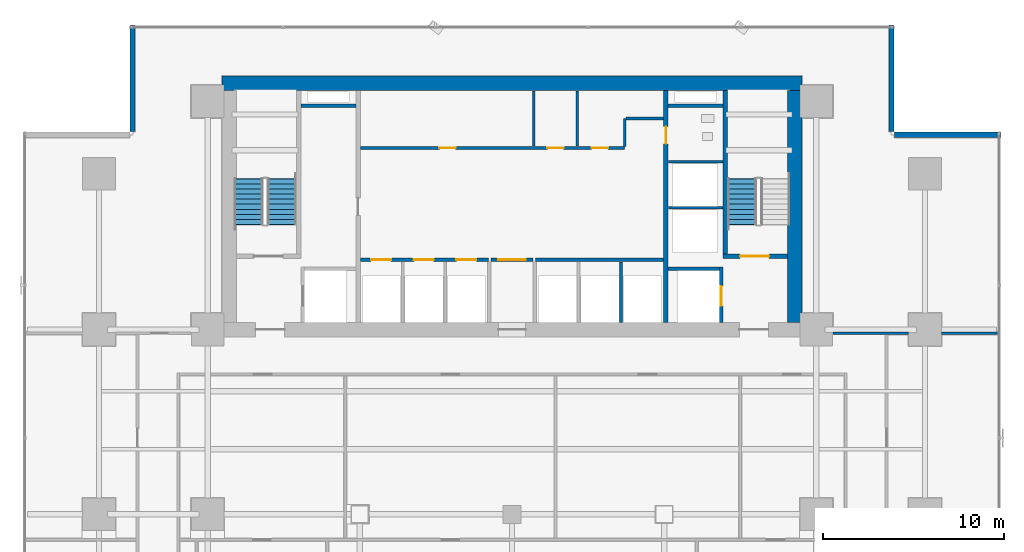
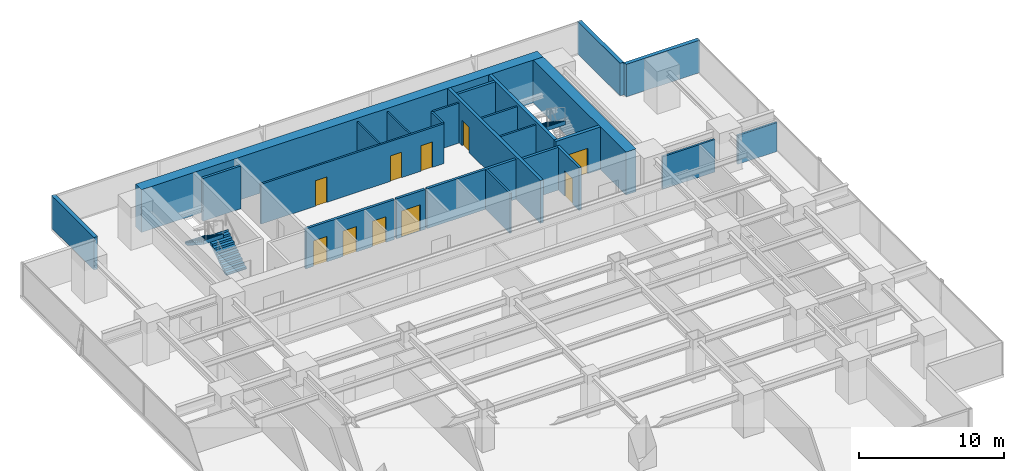
# One storey, part 25 of 32: 25 walls, 10 doors, 3 stair flights, 10 openings, 2 elements without a shape of their own.
"""IFC4 building model written with IfcOpenShell, lengths in metres."""

from ifc_helpers import new_model, si_unit, direction, frame, frame_2d, origin, place, context, subcontext, project, spatial, polyline, rectangle, outline, extrude, source, transform, mapped, material, layer, layer_set, type_object, element, fill, aggregate, save


model = new_model("IFC4")

# Units and contexts
model_context = context("Model", 3, precision=1e-05, world=origin(), true_north=direction((0.0, 1.0)))
body_context = subcontext(model_context, "Body", "Model", "MODEL_VIEW")
ifc_project = project(units=[si_unit("LENGTHUNIT", "METRE"), si_unit("AREAUNIT", "SQUARE_METRE"), si_unit("VOLUMEUNIT", "CUBIC_METRE"), si_unit("PLANEANGLEUNIT", "RADIAN"), si_unit("MASSUNIT", "GRAM", prefix="KILO")], contexts=[model_context])

# Site, building, storey
site_placement = place(None, origin())
site = spatial("IfcSite", under=ifc_project, at=site_placement, CompositionType="ELEMENT")
building_placement = place(site_placement, origin())
building = spatial("IfcBuilding", under=site, at=building_placement, Name="Sumidabori Civic Tower", CompositionType="ELEMENT")
storey_placement = place(building_placement, frame((0.0, 0.0, 45.199951171875)))
storey = spatial("IfcBuildingStorey", under=building, at=storey_placement, Name="L11", CompositionType="ELEMENT", Elevation=45.199951171875)

# Walls
ifc_material_1 = material(Name="Concrete C60/75", Category="concrete")
ifc_layer_1 = layer(ifc_material_1, 0.800048828125, Name="Concrete C60/75")
ifc_layer_set_1 = layer_set([ifc_layer_1], Name="Concrete C60/75")
wall_type_1 = type_object("IfcWallType", Name="WL-CORE-800", PredefinedType="SHEAR", material=ifc_layer_set_1)
shared_shape_1 = source(origin(), body_context, "Body", "SweptSolid", [
    extrude(rectangle(XDim=32.0, YDim=0.800048828125, at=frame_2d((16.0, 0.0))), origin(), (0.0, 0.0, 1.0), 3.60009765625),
])
wall_1_placement = place(storey_placement, frame((-16.0, 23.800048828125, 0.0), z_axis=(0.0, 0.0, 1.0), x_axis=(1.0, 0.0, 0.0)))
element("IfcWall", 1, at=wall_1_placement, inside=storey, type_object=wall_type_1, Name="Core Shear Wall L11 N", PredefinedType="SHEAR", context=body_context, shape_type="MappedRepresentation", body=[
    mapped(shared_shape_1, transform((0.0, 0.0, 0.0), x_axis=(1.0, 0.0, 0.0), y_axis=(0.0, 1.0, 0.0), z_axis=(0.0, 0.0, 1.0), scale=1.0)),
])
shared_shape_2 = source(origin(), body_context, "Body", "SweptSolid", [
    extrude(rectangle(XDim=12.7998046875, YDim=0.800048828125, at=frame_2d((6.39990234375, 0.0))), origin(), (0.0, 0.0, 1.0), 3.60009765625),
])
wall_2_placement = place(storey_placement, frame((15.60009765625, 10.60009765625, 0.0), z_axis=(0.0, 0.0, 1.0), x_axis=(0.0, 1.0, 0.0)))
element("IfcWall", 2, at=wall_2_placement, inside=storey, type_object=wall_type_1, Name="Core Shear Wall L11 E", PredefinedType="SHEAR", context=body_context, shape_type="MappedRepresentation", body=[
    mapped(shared_shape_2, transform((0.0, 0.0, 0.0), x_axis=(1.0, 0.0, 0.0), y_axis=(0.0, 1.0, 0.0), z_axis=(0.0, 0.0, 1.0), scale=1.0)),
])

# Wall, opening, door
ifc_material_2 = material(Name="Concrete C50/60", Category="concrete")
ifc_layer_2 = layer(ifc_material_2, 0.25, Name="Concrete C50/60")
ifc_layer_set_2 = layer_set([ifc_layer_2], Name="Concrete C50/60")
wall_type_2 = type_object("IfcWallType", Name="WL-SHAFT-250", PredefinedType="SHEAR", material=ifc_layer_set_2)
shared_shape_3 = source(origin(), body_context, "Body", "SweptSolid", [
    extrude(rectangle(XDim=12.7998046875, YDim=0.25, at=frame_2d((6.39990234375, 0.0))), origin(), (0.0, 0.0, 1.0), 3.60009765625),
])
wall_3_placement = place(storey_placement, frame((8.5, 10.60009765625, 0.0), z_axis=(0.0, 0.0, 1.0), x_axis=(0.0, 1.0, 0.0)))
wall_3 = element("IfcWall", 3, at=wall_3_placement, inside=storey, type_object=wall_type_2, Name="Core Shear Wall L11 WEB-E", PredefinedType="SHEAR", context=body_context, shape_type="MappedRepresentation", body=[
    mapped(shared_shape_3, transform((0.0, 0.0, 0.0), x_axis=(1.0, 0.0, 0.0), y_axis=(0.0, 1.0, 0.0), z_axis=(0.0, 0.0, 1.0), scale=1.0)),
])
opening_1_placement = place(wall_3_placement, frame((9.85009765625, 0.0, 0.0)))
opening_1 = element("IfcOpeningElement", 4, at=opening_1_placement, cuts=wall_3, Name="Opening DR-2", PredefinedType="OPENING", context=body_context, shape_type="SweptSolid", body=[
    extrude(rectangle(XDim=0.949951171875, YDim=2.14990234375, at=frame_2d((0.47509765625, 1.074951171875))), frame((0.0, 0.136962890625, 0.0), z_axis=(0.0, -1.0, 0.0), x_axis=(1.0, 0.0, 0.0)), (0.0, 0.0, 1.0), 0.27392578125),
])
ifc_material_3 = material(Name="Japanese Hinoki Timber", Category="wood")
door_type_1 = type_object("IfcDoorType", Name="DR-INT-950", OperationType="NOTDEFINED", PredefinedType="DOOR", material=ifc_material_3)
shared_shape_4 = source(origin(), body_context, "Body", "SweptSolid", [
    extrude(rectangle(XDim=0.949951171875, YDim=2.14990234375, at=frame_2d((0.47509765625, 1.074951171875))), frame((0.0, 0.02490234375, 0.0), z_axis=(0.0, -1.0, 0.0), x_axis=(1.0, 0.0, 0.0)), (0.0, 0.0, 1.0), 0.050048828125),
])
door_1_placement = place(opening_1_placement, origin())
door_1 = element("IfcDoor", 5, at=door_1_placement, inside=storey, type_object=door_type_1, Name="Door DR:L11:WC-ACC", OperationType="SINGLE_SWING_RIGHT", OverallHeight=2.14990234375, OverallWidth=0.949951171875, PredefinedType="DOOR", context=body_context, shape_type="MappedRepresentation", body=[
    mapped(shared_shape_4, transform((0.0, 0.0, 0.0), x_axis=(1.0, 0.0, 0.0), y_axis=(0.0, 1.0, 0.0), z_axis=(0.0, 0.0, 1.0), scale=1.0)),
])
fill(opening_1, door_1)

shared_shape_5 = source(origin(), body_context, "Body", "SweptSolid", [
    extrude(rectangle(XDim=3.554931640625, YDim=0.25, at=frame_2d((1.77734375, 0.0))), origin(), (0.0, 0.0, 1.0), 3.60009765625),
])
wall_4_placement = place(storey_placement, frame((11.64501953125, 14.25, 0.0), z_axis=(0.0, 0.0, 1.0), x_axis=(1.0, 0.0, 0.0)))
wall_4 = element("IfcWall", 6, at=wall_4_placement, inside=storey, type_object=wall_type_2, Name="Core Shear Wall L11 ST2-S", PredefinedType="SHEAR", context=body_context, shape_type="MappedRepresentation", body=[
    mapped(shared_shape_5, transform((0.0, 0.0, 0.0), x_axis=(1.0, 0.0, 0.0), y_axis=(0.0, 1.0, 0.0), z_axis=(0.0, 0.0, 1.0), scale=1.0)),
])
opening_2_placement = place(wall_4_placement, frame((0.949951171875, 0.0, 0.0)))
opening_2 = element("IfcOpeningElement", 7, at=opening_2_placement, cuts=wall_4, Name="Opening DR-FD4", PredefinedType="OPENING", context=body_context, shape_type="SweptSolid", body=[
    extrude(rectangle(XDim=1.60009765625, YDim=2.14990234375, at=frame_2d((0.800048828125, 1.074951171875))), frame((0.0, 0.136962890625, 0.0), z_axis=(0.0, -1.0, 0.0), x_axis=(1.0, 0.0, 0.0)), (0.0, 0.0, 1.0), 0.27392578125),
])
ifc_material_4 = material(Name="Steel SN490", Category="steel")
door_type_2 = type_object("IfcDoorType", Name="DR-FD4", OperationType="DOUBLE_DOOR_SINGLE_SWING", PredefinedType="DOOR", material=ifc_material_4)
shared_shape_6 = source(origin(), body_context, "Body", "SweptSolid", [
    extrude(rectangle(XDim=1.60009765625, YDim=2.14990234375, at=frame_2d((0.800048828125, 1.074951171875))), frame((0.0, 0.02490234375, 0.0), z_axis=(0.0, -1.0, 0.0), x_axis=(1.0, 0.0, 0.0)), (0.0, 0.0, 1.0), 0.050048828125),
])
door_2_placement = place(opening_2_placement, origin())
door_2 = element("IfcDoor", 8, at=door_2_placement, inside=storey, type_object=door_type_2, Name="Door DR:L11:ST2", OperationType="DOUBLE_DOOR_SINGLE_SWING", OverallHeight=2.14990234375, OverallWidth=1.60009765625, PredefinedType="DOOR", context=body_context, shape_type="MappedRepresentation", body=[
    mapped(shared_shape_6, transform((0.0, 0.0, 0.0), x_axis=(1.0, 0.0, 0.0), y_axis=(0.0, 1.0, 0.0), z_axis=(0.0, 0.0, 1.0), scale=1.0)),
])
fill(opening_2, door_2)

# Wall
shared_shape_7 = source(origin(), body_context, "Body", "SweptSolid", [
    extrude(rectangle(XDim=9.02490234375, YDim=0.25, at=frame_2d((4.512451171875, 0.0))), origin(), (0.0, 0.0, 1.0), 3.60009765625),
])
wall_5_placement = place(storey_placement, frame((11.77001953125, 14.375, 0.0), z_axis=(0.0, 0.0, 1.0), x_axis=(0.0, 1.0, 0.0)))
element("IfcWall", 9, at=wall_5_placement, inside=storey, type_object=wall_type_2, Name="Core Shear Wall L11 ST2-W", PredefinedType="SHEAR", context=body_context, shape_type="MappedRepresentation", body=[
    mapped(shared_shape_7, transform((0.0, 0.0, 0.0), x_axis=(1.0, 0.0, 0.0), y_axis=(0.0, 1.0, 0.0), z_axis=(0.0, 0.0, 1.0), scale=1.0)),
])

# Wall, opening, door
ifc_layer_3 = layer(ifc_material_2, 0.199951171875, Name="Concrete C50/60")
ifc_layer_set_3 = layer_set([ifc_layer_3], Name="Concrete C50/60")
wall_type_3 = type_object("IfcWallType", Name="WL-SHAFT-200", PredefinedType="SHEAR", material=ifc_layer_set_3)
shared_shape_8 = source(origin(), body_context, "Body", "SweptSolid", [
    extrude(rectangle(XDim=3.0498046875, YDim=0.199951171875, at=frame_2d((1.52490234375, 0.0))), origin(), (0.0, 0.0, 1.0), 3.60009765625),
])
wall_6_placement = place(storey_placement, frame((11.550048828125, 10.60009765625, 0.0), z_axis=(0.0, 0.0, 1.0), x_axis=(0.0, 1.0, 0.0)))
wall_6 = element("IfcWall", 10, at=wall_6_placement, inside=storey, type_object=wall_type_3, Name="Core Shear Wall L11 EL2-E", PredefinedType="SHEAR", context=body_context, shape_type="MappedRepresentation", body=[
    mapped(shared_shape_8, transform((0.0, 0.0, 0.0), x_axis=(1.0, 0.0, 0.0), y_axis=(0.0, 1.0, 0.0), z_axis=(0.0, 0.0, 1.0), scale=1.0)),
])
opening_3_placement = place(wall_6_placement, frame((0.89990234375, 0.0, 0.0)))
opening_3 = element("IfcOpeningElement", 11, at=opening_3_placement, cuts=wall_6, Name="Opening LD-2", PredefinedType="OPENING", context=body_context, shape_type="SweptSolid", body=[
    extrude(rectangle(XDim=1.10009765625, YDim=2.14990234375, at=frame_2d((0.550048828125, 1.074951171875))), frame((0.0, 0.11181640625, 0.0), z_axis=(0.0, -1.0, 0.0), x_axis=(1.0, 0.0, 0.0)), (0.0, 0.0, 1.0), 0.223876953125),
])
ifc_material_5 = material(Name="Stainless Steel Hairline Finish", Category="steel")
door_type_3 = type_object("IfcDoorType", Name="DR-LD2", OperationType="DOUBLE_DOOR_SLIDING", PredefinedType="DOOR", material=ifc_material_5)
shared_shape_9 = source(origin(), body_context, "Body", "SweptSolid", [
    extrude(rectangle(XDim=1.10009765625, YDim=2.14990234375, at=frame_2d((0.550048828125, 1.074951171875))), frame((0.0, 0.02490234375, 0.0), z_axis=(0.0, -1.0, 0.0), x_axis=(1.0, 0.0, 0.0)), (0.0, 0.0, 1.0), 0.050048828125),
])
door_3_placement = place(opening_3_placement, origin())
door_3 = element("IfcDoor", 12, at=door_3_placement, inside=storey, type_object=door_type_3, Name="Door DR:L11:LD-EL2", OperationType="DOUBLE_DOOR_SLIDING", OverallHeight=2.14990234375, OverallWidth=1.10009765625, PredefinedType="DOOR", context=body_context, shape_type="MappedRepresentation", body=[
    mapped(shared_shape_9, transform((0.0, 0.0, 0.0), x_axis=(1.0, 0.0, 0.0), y_axis=(0.0, 1.0, 0.0), z_axis=(0.0, 0.0, 1.0), scale=1.0)),
])
fill(opening_3, door_3)

# Walls
shared_shape_10 = source(origin(), body_context, "Body", "SweptSolid", [
    extrude(rectangle(XDim=2.824951171875, YDim=0.199951171875, at=frame_2d((1.41259765625, 0.0))), origin(), (0.0, 0.0, 1.0), 3.60009765625),
])
wall_7_placement = place(storey_placement, frame((8.625, 13.550048828125, 0.0), z_axis=(0.0, 0.0, 1.0), x_axis=(1.0, 0.0, 0.0)))
element("IfcWall", 13, at=wall_7_placement, inside=storey, type_object=wall_type_3, Name="Core Shear Wall L11 EL2-N", PredefinedType="SHEAR", context=body_context, shape_type="MappedRepresentation", body=[
    mapped(shared_shape_10, transform((0.0, 0.0, 0.0), x_axis=(1.0, 0.0, 0.0), y_axis=(0.0, 1.0, 0.0), z_axis=(0.0, 0.0, 1.0), scale=1.0)),
])
shared_shape_11 = source(origin(), body_context, "Body", "SweptSolid", [
    extrude(rectangle(XDim=3.02001953125, YDim=0.199951171875, at=frame_2d((1.510009765625, 0.0))), origin(), (0.0, 0.0, 1.0), 3.60009765625),
])
for number, where, z_axis, x_axis, name in (
    (14, (-11.64501953125, 22.550048828125, 0.0), (0.0, 0.0, 1.0), (1.0, 0.0, 0.0), "Core Shear Wall L11 RIS1-S"),
    (15, (8.625, 22.550048828125, 0.0), (0.0, 0.0, 1.0), (1.0, 0.0, 0.0), "Core Shear Wall L11 RIS2-S"),
):
    element("IfcWall", number, at=place(storey_placement, frame(where, z_axis=z_axis, x_axis=x_axis)), inside=storey, type_object=wall_type_3, Name=name, PredefinedType="SHEAR", context=body_context, shape_type="MappedRepresentation", body=[
        mapped(shared_shape_11, transform((0.0, 0.0, 0.0), x_axis=(1.0, 0.0, 0.0), y_axis=(0.0, 1.0, 0.0), z_axis=(0.0, 0.0, 1.0), scale=1.0)),
    ])
ifc_material_6 = material(Name="Precast concrete C40/50", Category="concrete")
ifc_layer_4 = layer(ifc_material_6, 0.300048828125, Name="Precast concrete C40/50")
ifc_layer_set_4 = layer_set([ifc_layer_4], Name="Precast concrete C40/50")
wall_type_4 = type_object("IfcWallType", Name="WL-EXT-POD300", PredefinedType="STANDARD", material=ifc_layer_set_4)
shared_shape_12 = source(origin(), body_context, "Body", "SweptSolid", [
    extrude(rectangle(XDim=5.85986328125, YDim=0.300048828125, at=frame_2d((2.929931640625, 0.0))), origin(), (0.0, 0.0, 1.0), 2.739990234375),
])
for number, where, z_axis, x_axis, name in (
    (16, (26.97998046875, 20.949951171875, 0.0), (0.0, 0.0, 1.0), (-1.0, 0.0, 0.0), "Notched Corner Spandrel Band L11-05"),
    (17, (20.949951171875, 21.1201171875, 0.0), (0.0, 0.0, 1.0), (0.0, 1.0, 0.0), "Notched Corner Spandrel Band L11-06"),
    (18, (-20.949951171875, 26.97998046875, 0.0), (0.0, 0.0, 1.0), (0.0, -1.0, 0.0), "Notched Corner Spandrel Band L11-08"),
):
    element("IfcWall", number, at=place(storey_placement, frame(where, z_axis=z_axis, x_axis=x_axis)), inside=storey, type_object=wall_type_4, Name=name, PredefinedType="STANDARD", context=body_context, shape_type="MappedRepresentation", body=[
        mapped(shared_shape_12, transform((0.0, 0.0, 0.0), x_axis=(1.0, 0.0, 0.0), y_axis=(0.0, 1.0, 0.0), z_axis=(0.0, 0.0, 1.0), scale=1.0)),
    ])
ifc_material_7 = material(Name="Gypsum Plasterboard Acoustic Partition")
ifc_layer_5 = layer(ifc_material_7, 0.14990234375, Name="Gypsum Plasterboard Acoustic Partition")
ifc_layer_set_5 = layer_set([ifc_layer_5], Name="Gypsum Plasterboard Acoustic Partition")
wall_type_5 = type_object("IfcWallType", Name="WL-PART-150", PredefinedType="PARTITIONING", material=ifc_layer_set_5)
shared_shape_13 = source(origin(), body_context, "Body", "SweptSolid", [
    extrude(rectangle(XDim=3.010009765625, YDim=0.14990234375, at=frame_2d((1.5048828125, 0.0))), origin(), (0.0, 0.0, 1.0), 3.360107421875),
])
for number, where, z_axis, x_axis, name in (
    (19, (8.6298828125, 16.919921875, 0.0), (0.0, 0.0, 1.0), (1.0, 0.0, 0.0), "Interior Partition WL:L11:DIV-OBS1"),
    (20, (8.6298828125, 19.469970703125, 0.0), (0.0, 0.0, 1.0), (1.0, 0.0, 0.0), "Interior Partition WL:L11:DIV-OBS2"),
):
    element("IfcWall", number, at=place(storey_placement, frame(where, z_axis=z_axis, x_axis=x_axis)), inside=storey, type_object=wall_type_5, Name=name, PredefinedType="PARTITIONING", context=body_context, shape_type="MappedRepresentation", body=[
        mapped(shared_shape_13, transform((0.0, 0.0, 0.0), x_axis=(1.0, 0.0, 0.0), y_axis=(0.0, 1.0, 0.0), z_axis=(0.0, 0.0, 1.0), scale=1.0)),
    ])

# Wall, openings, doors
ifc_material_8 = material(Name="Gypsum Plasterboard Fire Partition")
ifc_layer_6 = layer(ifc_material_8, 0.199951171875, Name="Gypsum Plasterboard Fire Partition")
ifc_layer_set_6 = layer_set([ifc_layer_6], Name="Gypsum Plasterboard Fire Partition")
wall_type_6 = type_object("IfcWallType", Name="WL-PART-FIRE", PredefinedType="PARTITIONING", material=ifc_layer_set_6)
shared_shape_14 = source(origin(), body_context, "Body", "SweptSolid", [
    extrude(rectangle(XDim=7.070068359375, YDim=0.199951171875, at=frame_2d((3.53515625, 0.0))), origin(), (0.0, 0.0, 1.0), 3.360107421875),
])
wall_8_placement = place(storey_placement, frame((-8.3701171875, 14.050048828125, 0.0), z_axis=(0.0, 0.0, 1.0), x_axis=(1.0, 0.0, 0.0)))
wall_8 = element("IfcWall", 21, at=wall_8_placement, inside=storey, type_object=wall_type_6, Name="Interior Partition WL:L11:CBAND-SW", PredefinedType="PARTITIONING", context=body_context, shape_type="MappedRepresentation", body=[
    mapped(shared_shape_14, transform((0.0, 0.0, 0.0), x_axis=(1.0, 0.0, 0.0), y_axis=(0.0, 1.0, 0.0), z_axis=(0.0, 0.0, 1.0), scale=1.0)),
])
opening_4_placement = place(wall_8_placement, frame((0.60009765625, 0.0, 0.0)))
opening_4 = element("IfcOpeningElement", 22, at=opening_4_placement, cuts=wall_8, Name="Opening LD-1", PredefinedType="OPENING", context=body_context, shape_type="SweptSolid", body=[
    extrude(rectangle(XDim=1.10009765625, YDim=2.14990234375, at=frame_2d((0.550048828125, 1.074951171875))), frame((0.0, 0.11181640625, 0.0), z_axis=(0.0, -1.0, 0.0), x_axis=(1.0, 0.0, 0.0)), (0.0, 0.0, 1.0), 0.223876953125),
])
opening_5_placement = place(wall_8_placement, frame((2.949951171875, 0.0, 0.0)))
opening_5 = element("IfcOpeningElement", 23, at=opening_5_placement, cuts=wall_8, Name="Opening LD-1", PredefinedType="OPENING", context=body_context, shape_type="SweptSolid", body=[
    extrude(rectangle(XDim=1.10009765625, YDim=2.14990234375, at=frame_2d((0.550048828125, 1.074951171875))), frame((0.0, 0.11181640625, 0.0), z_axis=(0.0, -1.0, 0.0), x_axis=(1.0, 0.0, 0.0)), (0.0, 0.0, 1.0), 0.223876953125),
])
opening_6_placement = place(wall_8_placement, frame((5.300048828125, 0.0, 0.0)))
opening_6 = element("IfcOpeningElement", 24, at=opening_6_placement, cuts=wall_8, Name="Opening LD-1", PredefinedType="OPENING", context=body_context, shape_type="SweptSolid", body=[
    extrude(rectangle(XDim=1.10009765625, YDim=2.14990234375, at=frame_2d((0.550048828125, 1.074951171875))), frame((0.0, 0.11181640625, 0.0), z_axis=(0.0, -1.0, 0.0), x_axis=(1.0, 0.0, 0.0)), (0.0, 0.0, 1.0), 0.223876953125),
])
door_type_4 = type_object("IfcDoorType", Name="DR-LD1", OperationType="DOUBLE_DOOR_SLIDING", PredefinedType="DOOR", material=ifc_material_5)
door_4_placement = place(opening_4_placement, origin())
door_4 = element("IfcDoor", 25, at=door_4_placement, inside=storey, type_object=door_type_4, Name="Door DR:L11:LD-PLL1", OperationType="DOUBLE_DOOR_SLIDING", OverallHeight=2.14990234375, OverallWidth=1.10009765625, PredefinedType="DOOR", context=body_context, shape_type="MappedRepresentation", body=[
    mapped(shared_shape_9, transform((0.0, 0.0, 0.0), x_axis=(1.0, 0.0, 0.0), y_axis=(0.0, 1.0, 0.0), z_axis=(0.0, 0.0, 1.0), scale=1.0)),
])
fill(opening_4, door_4)
door_5_placement = place(opening_5_placement, origin())
door_5 = element("IfcDoor", 26, at=door_5_placement, inside=storey, type_object=door_type_4, Name="Door DR:L11:LD-PLL2", OperationType="DOUBLE_DOOR_SLIDING", OverallHeight=2.14990234375, OverallWidth=1.10009765625, PredefinedType="DOOR", context=body_context, shape_type="MappedRepresentation", body=[
    mapped(shared_shape_9, transform((0.0, 0.0, 0.0), x_axis=(1.0, 0.0, 0.0), y_axis=(0.0, 1.0, 0.0), z_axis=(0.0, 0.0, 1.0), scale=1.0)),
])
fill(opening_5, door_5)
door_6_placement = place(opening_6_placement, origin())
door_6 = element("IfcDoor", 27, at=door_6_placement, inside=storey, type_object=door_type_4, Name="Door DR:L11:LD-PLL3", OperationType="DOUBLE_DOOR_SLIDING", OverallHeight=2.14990234375, OverallWidth=1.10009765625, PredefinedType="DOOR", context=body_context, shape_type="MappedRepresentation", body=[
    mapped(shared_shape_9, transform((0.0, 0.0, 0.0), x_axis=(1.0, 0.0, 0.0), y_axis=(0.0, 1.0, 0.0), z_axis=(0.0, 0.0, 1.0), scale=1.0)),
])
fill(opening_6, door_6)

# Wall
wall_9_placement = place(storey_placement, frame((1.300048828125, 14.050048828125, 0.0), z_axis=(0.0, 0.0, 1.0), x_axis=(1.0, 0.0, 0.0)))
element("IfcWall", 28, at=wall_9_placement, inside=storey, type_object=wall_type_6, Name="Interior Partition WL:L11:CBAND-SE", PredefinedType="PARTITIONING", context=body_context, shape_type="MappedRepresentation", body=[
    mapped(shared_shape_14, transform((0.0, 0.0, 0.0), x_axis=(1.0, 0.0, 0.0), y_axis=(0.0, 1.0, 0.0), z_axis=(0.0, 0.0, 1.0), scale=1.0)),
])

# Wall, opening, door
shared_shape_15 = source(origin(), body_context, "Body", "SweptSolid", [
    extrude(rectangle(XDim=2.2998046875, YDim=0.199951171875, at=frame_2d((1.14990234375, 0.0))), origin(), (0.0, 0.0, 1.0), 3.360107421875),
])
wall_10_placement = place(storey_placement, frame((-1.14990234375, 14.050048828125, 0.0), z_axis=(0.0, 0.0, 1.0), x_axis=(1.0, 0.0, 0.0)))
wall_10 = element("IfcWall", 29, at=wall_10_placement, inside=storey, type_object=wall_type_6, Name="Interior Partition WL:L11:THROAT-N", PredefinedType="PARTITIONING", context=body_context, shape_type="MappedRepresentation", body=[
    mapped(shared_shape_15, transform((0.0, 0.0, 0.0), x_axis=(1.0, 0.0, 0.0), y_axis=(0.0, 1.0, 0.0), z_axis=(0.0, 0.0, 1.0), scale=1.0)),
])
opening_7_placement = place(wall_10_placement, frame((0.39990234375, 0.0, 0.0)))
opening_7 = element("IfcOpeningElement", 30, at=opening_7_placement, cuts=wall_10, Name="Opening DR-FD3", PredefinedType="OPENING", context=body_context, shape_type="SweptSolid", body=[
    extrude(rectangle(XDim=1.5, YDim=2.199951171875, at=frame_2d((0.75, 1.10009765625))), frame((0.0, 0.11181640625, 0.0), z_axis=(0.0, -1.0, 0.0), x_axis=(1.0, 0.0, 0.0)), (0.0, 0.0, 1.0), 0.223876953125),
])
door_type_5 = type_object("IfcDoorType", Name="DR-FD-DBL", OperationType="DOUBLE_DOOR_SINGLE_SWING", PredefinedType="DOOR", material=ifc_material_4)
shared_shape_16 = source(origin(), body_context, "Body", "SweptSolid", [
    extrude(rectangle(XDim=1.5, YDim=2.199951171875, at=frame_2d((0.75, 1.10009765625))), frame((0.0, 0.02490234375, 0.0), z_axis=(0.0, -1.0, 0.0), x_axis=(1.0, 0.0, 0.0)), (0.0, 0.0, 1.0), 0.050048828125),
])
door_7_placement = place(opening_7_placement, origin())
door_7 = element("IfcDoor", 31, at=door_7_placement, inside=storey, type_object=door_type_5, Name="Door DR:L11:THROAT-IN", OperationType="DOUBLE_DOOR_SINGLE_SWING", OverallHeight=2.199951171875, OverallWidth=1.5, PredefinedType="DOOR", context=body_context, shape_type="MappedRepresentation", body=[
    mapped(shared_shape_16, transform((0.0, 0.0, 0.0), x_axis=(1.0, 0.0, 0.0), y_axis=(0.0, 1.0, 0.0), z_axis=(0.0, 0.0, 1.0), scale=1.0)),
])
fill(opening_7, door_7)

# Wall, openings, doors
shared_shape_17 = source(origin(), body_context, "Body", "SweptSolid", [
    extrude(rectangle(XDim=14.590087890625, YDim=0.14990234375, at=frame_2d((7.294921875, 0.0))), origin(), (0.0, 0.0, 1.0), 3.360107421875),
])
wall_11_placement = place(storey_placement, frame((-8.3701171875, 20.219970703125, 0.0), z_axis=(0.0, 0.0, 1.0), x_axis=(1.0, 0.0, 0.0)))
wall_11 = element("IfcWall", 32, at=wall_11_placement, inside=storey, type_object=wall_type_5, Name="Interior Partition WL:L11:CBAND-M", PredefinedType="PARTITIONING", context=body_context, shape_type="MappedRepresentation", body=[
    mapped(shared_shape_17, transform((0.0, 0.0, 0.0), x_axis=(1.0, 0.0, 0.0), y_axis=(0.0, 1.0, 0.0), z_axis=(0.0, 0.0, 1.0), scale=1.0)),
])
opening_8_placement = place(wall_11_placement, frame((4.360107421875, 0.0, 0.0)))
opening_8 = element("IfcOpeningElement", 33, at=opening_8_placement, cuts=wall_11, Name="Opening DR-1", PredefinedType="OPENING", context=body_context, shape_type="SweptSolid", body=[
    extrude(rectangle(XDim=0.89990234375, YDim=2.14990234375, at=frame_2d((0.449951171875, 1.074951171875))), frame((0.0, 0.0869140625, 0.0), z_axis=(0.0, -1.0, 0.0), x_axis=(1.0, 0.0, 0.0)), (0.0, 0.0, 1.0), 0.173828125),
])
opening_9_placement = place(wall_11_placement, frame((10.320068359375, 0.0, 0.0)))
opening_9 = element("IfcOpeningElement", 34, at=opening_9_placement, cuts=wall_11, Name="Opening DR-1", PredefinedType="OPENING", context=body_context, shape_type="SweptSolid", body=[
    extrude(rectangle(XDim=0.89990234375, YDim=2.14990234375, at=frame_2d((0.449951171875, 1.074951171875))), frame((0.0, 0.0869140625, 0.0), z_axis=(0.0, -1.0, 0.0), x_axis=(1.0, 0.0, 0.0)), (0.0, 0.0, 1.0), 0.173828125),
])
opening_10_placement = place(wall_11_placement, frame((12.77001953125, 0.0, 0.0)))
opening_10 = element("IfcOpeningElement", 35, at=opening_10_placement, cuts=wall_11, Name="Opening DR-1", PredefinedType="OPENING", context=body_context, shape_type="SweptSolid", body=[
    extrude(rectangle(XDim=0.89990234375, YDim=2.14990234375, at=frame_2d((0.449951171875, 1.074951171875))), frame((0.0, 0.0869140625, 0.0), z_axis=(0.0, -1.0, 0.0), x_axis=(1.0, 0.0, 0.0)), (0.0, 0.0, 1.0), 0.173828125),
])
door_type_6 = type_object("IfcDoorType", Name="DR-INT-900", OperationType="NOTDEFINED", PredefinedType="DOOR", material=ifc_material_3)
shared_shape_18 = source(origin(), body_context, "Body", "SweptSolid", [
    extrude(rectangle(XDim=0.89990234375, YDim=2.14990234375, at=frame_2d((0.449951171875, 1.074951171875))), frame((0.0, 0.02490234375, 0.0), z_axis=(0.0, -1.0, 0.0), x_axis=(1.0, 0.0, 0.0)), (0.0, 0.0, 1.0), 0.050048828125),
])
door_8_placement = place(opening_8_placement, origin())
door_8 = element("IfcDoor", 36, at=door_8_placement, inside=storey, type_object=door_type_6, Name="Door DR:L11:CB-1", OperationType="SINGLE_SWING_LEFT", OverallHeight=2.14990234375, OverallWidth=0.89990234375, PredefinedType="DOOR", context=body_context, shape_type="MappedRepresentation", body=[
    mapped(shared_shape_18, transform((0.0, 0.0, 0.0), x_axis=(1.0, 0.0, 0.0), y_axis=(0.0, 1.0, 0.0), z_axis=(0.0, 0.0, 1.0), scale=1.0)),
])
fill(opening_8, door_8)
door_9_placement = place(opening_9_placement, origin())
door_9 = element("IfcDoor", 37, at=door_9_placement, inside=storey, type_object=door_type_6, Name="Door DR:L11:CB-2", OperationType="SINGLE_SWING_RIGHT", OverallHeight=2.14990234375, OverallWidth=0.89990234375, PredefinedType="DOOR", context=body_context, shape_type="MappedRepresentation", body=[
    mapped(shared_shape_18, transform((0.0, 0.0, 0.0), x_axis=(1.0, 0.0, 0.0), y_axis=(0.0, 1.0, 0.0), z_axis=(0.0, 0.0, 1.0), scale=1.0)),
])
fill(opening_9, door_9)
door_10_placement = place(opening_10_placement, origin())
door_10 = element("IfcDoor", 38, at=door_10_placement, inside=storey, type_object=door_type_6, Name="Door DR:L11:CB-3", OperationType="SINGLE_SWING_LEFT", OverallHeight=2.14990234375, OverallWidth=0.89990234375, PredefinedType="DOOR", context=body_context, shape_type="MappedRepresentation", body=[
    mapped(shared_shape_18, transform((0.0, 0.0, 0.0), x_axis=(1.0, 0.0, 0.0), y_axis=(0.0, 1.0, 0.0), z_axis=(0.0, 0.0, 1.0), scale=1.0)),
])
fill(opening_10, door_10)

# Walls
shared_shape_19 = source(origin(), body_context, "Body", "SweptSolid", [
    extrude(rectangle(XDim=1.550048828125, YDim=0.14990234375, at=frame_2d((0.77490234375, 0.0))), origin(), (0.0, 0.0, 1.0), 3.360107421875),
])
wall_12_placement = place(storey_placement, frame((6.219970703125, 20.300048828125, 0.0), z_axis=(0.0, 0.0, 1.0), x_axis=(0.0, 1.0, 0.0)))
element("IfcWall", 39, at=wall_12_placement, inside=storey, type_object=wall_type_5, Name="Interior Partition WL:L11:CBAND-ME1", PredefinedType="PARTITIONING", context=body_context, shape_type="MappedRepresentation", body=[
    mapped(shared_shape_19, transform((0.0, 0.0, 0.0), x_axis=(1.0, 0.0, 0.0), y_axis=(0.0, 1.0, 0.0), z_axis=(0.0, 0.0, 1.0), scale=1.0)),
])
shared_shape_20 = source(origin(), body_context, "Body", "SweptSolid", [
    extrude(rectangle(XDim=2.070068359375, YDim=0.14990234375, at=frame_2d((1.03515625, 0.0))), origin(), (0.0, 0.0, 1.0), 3.360107421875),
])
wall_13_placement = place(storey_placement, frame((6.300048828125, 21.85009765625, 0.0), z_axis=(0.0, 0.0, 1.0), x_axis=(1.0, 0.0, 0.0)))
element("IfcWall", 40, at=wall_13_placement, inside=storey, type_object=wall_type_5, Name="Interior Partition WL:L11:CBAND-ME2", PredefinedType="PARTITIONING", context=body_context, shape_type="MappedRepresentation", body=[
    mapped(shared_shape_20, transform((0.0, 0.0, 0.0), x_axis=(1.0, 0.0, 0.0), y_axis=(0.0, 1.0, 0.0), z_axis=(0.0, 0.0, 1.0), scale=1.0)),
])
shared_shape_21 = source(origin(), body_context, "Body", "SweptSolid", [
    extrude(rectangle(XDim=3.33984375, YDim=0.14990234375, at=frame_2d((1.669921875, 0.0))), origin(), (0.0, 0.0, 1.0), 3.360107421875),
])
wall_14_placement = place(storey_placement, frame((6.02001953125, 10.60009765625, 0.0), z_axis=(0.0, 0.0, 1.0), x_axis=(0.0, 1.0, 0.0)))
element("IfcWall", 41, at=wall_14_placement, inside=storey, type_object=wall_type_5, Name="Interior Partition WL:L11:DIV-PLM2", PredefinedType="PARTITIONING", context=body_context, shape_type="MappedRepresentation", body=[
    mapped(shared_shape_21, transform((0.0, 0.0, 0.0), x_axis=(1.0, 0.0, 0.0), y_axis=(0.0, 1.0, 0.0), z_axis=(0.0, 0.0, 1.0), scale=1.0)),
])
ifc_layer_7 = layer(ifc_material_7, 0.1201171875, Name="Gypsum Plasterboard Acoustic Partition")
ifc_layer_set_7 = layer_set([ifc_layer_7], Name="Gypsum Plasterboard Acoustic Partition")
wall_type_7 = type_object("IfcWallType", Name="WL-PART-120", PredefinedType="PARTITIONING", material=ifc_layer_set_7)
shared_shape_22 = source(origin(), body_context, "Body", "SweptSolid", [
    extrude(rectangle(XDim=3.0400390625, YDim=0.1201171875, at=frame_2d((1.52001953125, 0.0))), origin(), (0.0, 0.0, 1.0), 3.360107421875),
])
for number, where, z_axis, x_axis, name in (
    (42, (1.199951171875, 20.320068359375, 0.0), (0.0, 0.0, 1.0), (0.0, 1.0, 0.0), "Interior Partition WL:L11:LV8-S1"),
    (43, (3.60009765625, 20.320068359375, 0.0), (0.0, 0.0, 1.0), (0.0, 1.0, 0.0), "Interior Partition WL:L11:LV8-S2"),
):
    element("IfcWall", number, at=place(storey_placement, frame(where, z_axis=z_axis, x_axis=x_axis)), inside=storey, type_object=wall_type_7, Name=name, PredefinedType="PARTITIONING", context=body_context, shape_type="MappedRepresentation", body=[
        mapped(shared_shape_22, transform((0.0, 0.0, 0.0), x_axis=(1.0, 0.0, 0.0), y_axis=(0.0, 1.0, 0.0), z_axis=(0.0, 0.0, 1.0), scale=1.0)),
    ])
shared_shape_23 = source(origin(), body_context, "Body", "SweptSolid", [
    extrude(rectangle(XDim=3.14013671875, YDim=0.14990234375, at=frame_2d((1.570068359375, 0.0))), origin(), (0.0, 0.0, 1.0), 2.43505859375),
])
wall_15_placement = place(storey_placement, frame((23.7099609375, 10.0, 0.0), z_axis=(0.0, 0.0, 1.0), x_axis=(1.0, 0.0, 0.0)))
element("IfcWall", 44, at=wall_15_placement, inside=storey, type_object=wall_type_5, Name="Interior Partition WL:L11:FLK-NE-2", PredefinedType="PARTITIONING", context=body_context, shape_type="MappedRepresentation", body=[
    mapped(shared_shape_23, transform((0.0, 0.0, 0.0), x_axis=(1.0, 0.0, 0.0), y_axis=(0.0, 1.0, 0.0), z_axis=(0.0, 0.0, 1.0), scale=1.0)),
])
shared_shape_24 = source(origin(), body_context, "Body", "SweptSolid", [
    extrude(rectangle(XDim=4.179931640625, YDim=0.14990234375, at=frame_2d((2.08984375, 0.0))), origin(), (0.0, 0.0, 1.0), 2.7451171875),
])
wall_16_placement = place(storey_placement, frame((17.7099609375, 10.0, 0.0), z_axis=(0.0, 0.0, 1.0), x_axis=(1.0, 0.0, 0.0)))
element("IfcWall", 45, at=wall_16_placement, inside=storey, type_object=wall_type_5, Name="Interior Partition WL:L11:FLK-NE-1", PredefinedType="PARTITIONING", context=body_context, shape_type="MappedRepresentation", body=[
    mapped(shared_shape_24, transform((0.0, 0.0, 0.0), x_axis=(1.0, 0.0, 0.0), y_axis=(0.0, 1.0, 0.0), z_axis=(0.0, 0.0, 1.0), scale=1.0)),
])

# Stair, stair flights
ifc_material_9 = material(Name="Concrete C40/50", Category="concrete")
stair_type = type_object("IfcStairType", Name="ST-CORE-1600", PredefinedType="HALF_TURN_STAIR", material=ifc_material_9)
stair_1_placement = place(storey_placement, origin())
stair_1 = element("IfcStair", 46, at=stair_1_placement, inside=storey, type_object=stair_type, Name="L11 ST-1", PredefinedType="HALF_TURN_STAIR")
stair_flight_type = type_object("IfcStairFlightType", Name="SF-CORE-1600", PredefinedType="STRAIGHT", material=ifc_material_9)
shared_shape_25 = source(origin(), body_context, "Body", "SweptSolid", [
    extrude(outline(polyline([(-0.02490234375, 0.0), (-0.02490234375, 0.0400390625), (0.0, 0.0400390625), (0.0, 0.179931640625), (0.280029296875, 0.179931640625), (0.280029296875, 0.360107421875), (0.56005859375, 0.360107421875), (0.56005859375, 0.5400390625), (0.840087890625, 0.5400390625), (0.840087890625, 0.719970703125), (1.1201171875, 0.719970703125), (1.1201171875, 0.89990234375), (1.39990234375, 0.89990234375), (1.39990234375, 1.080078125), (1.679931640625, 1.080078125), (1.679931640625, 1.260009765625), (1.9599609375, 1.260009765625), (1.9599609375, 1.43994140625), (2.239990234375, 1.43994140625), (2.239990234375, 1.6201171875), (2.52001953125, 1.6201171875), (2.52001953125, 1.800048828125), (2.544921875, 1.800048828125), (2.544921875, 1.650146484375), (2.52001953125, 1.44189453125), (0.277099609375, 0.0), (-0.02490234375, 0.0)])), frame((0.0, 0.800048828125, 0.0), z_axis=(0.0, -1.0, 0.0), x_axis=(1.0, 0.0, 0.0)), (0.0, 0.0, 1.0), 1.60009765625),
])
stair_flight_1_placement = place(storey_placement, frame((-12.699951171875, 16.0, 0.0), z_axis=(0.0, 0.0, 1.0), x_axis=(0.0, 1.0, 0.0)))
stair_flight_1 = element("IfcStairFlight", 47, at=stair_flight_1_placement, type_object=stair_flight_type, Name="ST-1 flight 1", NumberOfRisers=10, NumberOfTreads=9, PredefinedType="STRAIGHT", RiserHeight=0.18, TreadLength=0.28, context=body_context, shape_type="MappedRepresentation", body=[
    mapped(shared_shape_25, transform((0.0, 0.0, 0.0), x_axis=(1.0, 0.0, 0.0), y_axis=(0.0, 1.0, 0.0), z_axis=(0.0, 0.0, 1.0), scale=1.0)),
])
stair_flight_2_placement = place(storey_placement, frame((-14.5400390625, 18.52001953125, 1.800048828125), z_axis=(0.0, 0.0, 1.0), x_axis=(0.0, -1.0, 0.0)))
stair_flight_2 = element("IfcStairFlight", 48, at=stair_flight_2_placement, type_object=stair_flight_type, Name="ST-1 flight 2", NumberOfRisers=10, NumberOfTreads=9, PredefinedType="STRAIGHT", RiserHeight=0.18, TreadLength=0.28, context=body_context, shape_type="MappedRepresentation", body=[
    mapped(shared_shape_25, transform((0.0, 0.0, 0.0), x_axis=(1.0, 0.0, 0.0), y_axis=(0.0, 1.0, 0.0), z_axis=(0.0, 0.0, 1.0), scale=1.0)),
])
aggregate(stair_1, [stair_flight_1, stair_flight_2])

# Stair, stair flight
stair_2_placement = place(storey_placement, origin())
stair_2 = element("IfcStair", 49, at=stair_2_placement, inside=storey, type_object=stair_type, Name="L11 ST-2", PredefinedType="HALF_TURN_STAIR")
stair_flight_3_placement = place(storey_placement, frame((12.699951171875, 18.52001953125, 1.800048828125), z_axis=(0.0, 0.0, 1.0), x_axis=(0.0, -1.0, 0.0)))
stair_flight_3 = element("IfcStairFlight", 50, at=stair_flight_3_placement, type_object=stair_flight_type, Name="ST-2 flight 2", NumberOfRisers=10, NumberOfTreads=9, PredefinedType="STRAIGHT", RiserHeight=0.18, TreadLength=0.28, context=body_context, shape_type="MappedRepresentation", body=[
    mapped(shared_shape_25, transform((0.0, 0.0, 0.0), x_axis=(1.0, 0.0, 0.0), y_axis=(0.0, 1.0, 0.0), z_axis=(0.0, 0.0, 1.0), scale=1.0)),
])
aggregate(stair_2, [stair_flight_3])

save(model, "model.ifc")
